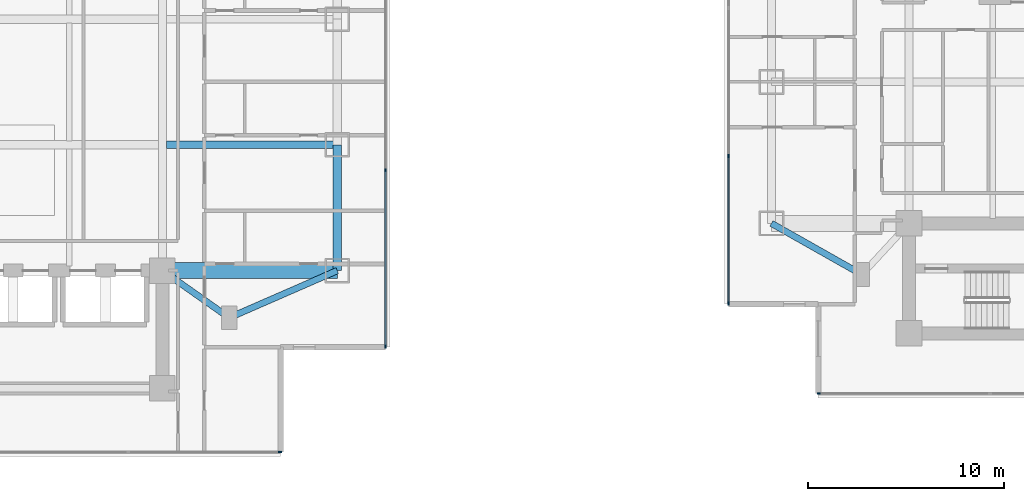
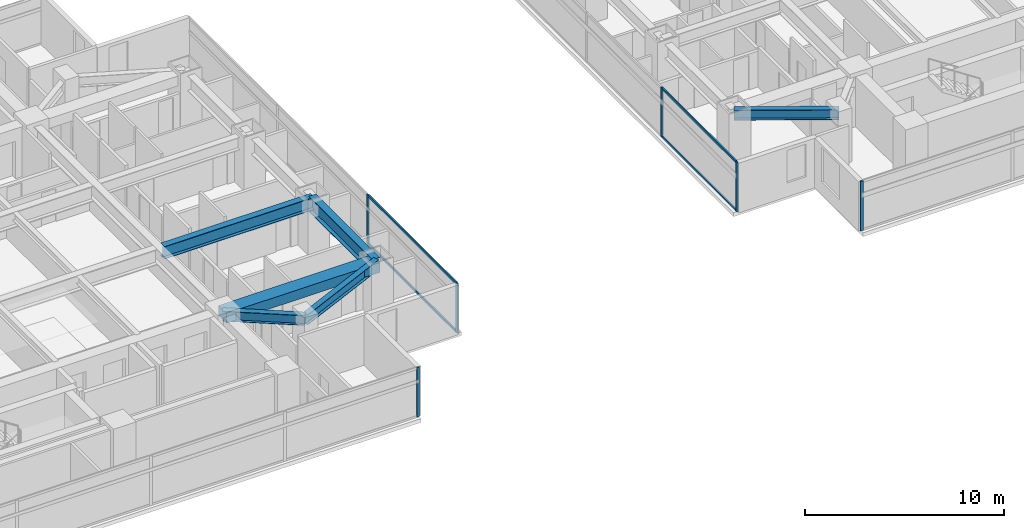
# One storey, part 4 of 27: 10 members, 6 beams, 4 elements without a shape of their own.
"""IFC4 building model written with IfcOpenShell, lengths in metres."""

from ifc_helpers import new_model, si_unit, direction, frame, origin, origin_2d, place, context, subcontext, project, spatial, rectangle, i_section, extrude, material, material_profile, profile_set, type_object, element, aggregate, save


model = new_model("IFC4")

# Units and contexts
model_context = context("Model", 3, precision=1e-05, world=origin(), true_north=direction((0.0, 1.0)))
body_context = subcontext(model_context, "Body", "Model", "MODEL_VIEW")
ifc_project = project(units=[si_unit("LENGTHUNIT", "METRE"), si_unit("AREAUNIT", "SQUARE_METRE"), si_unit("VOLUMEUNIT", "CUBIC_METRE"), si_unit("PLANEANGLEUNIT", "RADIAN"), si_unit("MASSUNIT", "GRAM", prefix="KILO")], contexts=[model_context])

# Site, building, storey
site_placement = place(None, origin())
site = spatial("IfcSite", under=ifc_project, at=site_placement, CompositionType="ELEMENT")
building_placement = place(site_placement, origin())
building = spatial("IfcBuilding", under=site, at=building_placement, Name="Mirazonda Arch Towers", CompositionType="ELEMENT")
storey_placement = place(building_placement, frame((0.0, 0.0, 55.39990234375)))
storey = spatial("IfcBuildingStorey", under=building, at=storey_placement, Name="L15", CompositionType="ELEMENT", Elevation=55.39990234375)

# Beams
ifc_material_1 = material(Name="Steel ASTM A992 Grade 50", Category="steel")
ifc_material_profile_1 = material_profile(ifc_material_1, i_section(OverallWidth=0.41796875, OverallDepth=0.927001953125, WebThickness=0.019287109375, FlangeThickness=0.031982421875, at=origin_2d()), Name="W36X231")
ifc_profile_set_1 = profile_set([ifc_material_profile_1], Name="Steel ASTM A992 Grade 50")
beam_type_1 = type_object("IfcBeamType", Name="BM-EXT-W36X231", PredefinedType="USERDEFINED", material=ifc_profile_set_1)
beam_1_placement = place(storey_placement, frame((38.89990234375, 18.39990234375, 2.5966796875), z_axis=(0.0, 1.0, 0.0), x_axis=(-1.0, 0.0, 0.0)))
element("IfcBeam", 1, at=beam_1_placement, inside=storey, type_object=beam_type_1, Name="L15 Floor Beam BM-T1-L15-NS-E-18", ObjectType="GIRDER", PredefinedType="USERDEFINED", context=body_context, shape_type="SweptSolid", body=[
    extrude(i_section(OverallWidth=0.41796875, OverallDepth=0.927001953125, WebThickness=0.019287109375, FlangeThickness=0.031982421875, at=origin_2d()), origin(), (0.0, 0.0, 1.0), 6.400146484375),
])
ifc_material_profile_2 = material_profile(ifc_material_1, i_section(OverallWidth=0.324951171875, OverallDepth=0.615966796875, WebThickness=0.013916015625, FlangeThickness=0.021484375, at=origin_2d()), Name="W24X117")
ifc_profile_set_2 = profile_set([ifc_material_profile_2], Name="Steel ASTM A992 Grade 50")
beam_type_2 = type_object("IfcBeamType", Name="BM-INT-W24X117", PredefinedType="BEAM", material=ifc_profile_set_2)
beam_2_placement = place(storey_placement, frame((33.39990234375, 16.0, 2.752197265625), z_axis=(-0.816971114901, 0.576678591087, 0.0), x_axis=(-0.576678591087, -0.816971114901, 0.0)))
element("IfcBeam", 2, at=beam_2_placement, inside=storey, type_object=beam_type_2, Name="L15 Floor Beam BM-T1-L15-PL-SE1", PredefinedType="BEAM", context=body_context, shape_type="SweptSolid", body=[
    extrude(i_section(OverallWidth=0.324951171875, OverallDepth=0.615966796875, WebThickness=0.013916015625, FlangeThickness=0.021484375, at=origin_2d()), origin(), (0.0, 0.0, 1.0), 4.16162109375),
])
beam_3_placement = place(storey_placement, frame((33.39990234375, 16.0, 2.752197265625), z_axis=(0.916545343703, 0.399930785183, 0.0), x_axis=(-0.399930785183, 0.916545343703, 0.0)))
element("IfcBeam", 3, at=beam_3_placement, inside=storey, type_object=beam_type_2, Name="L15 Floor Beam BM-T1-L15-PL-SE2", PredefinedType="BEAM", context=body_context, shape_type="SweptSolid", body=[
    extrude(i_section(OverallWidth=0.324951171875, OverallDepth=0.615966796875, WebThickness=0.013916015625, FlangeThickness=0.021484375, at=origin_2d()), origin(), (0.0, 0.0, 1.0), 6.000732421875),
])
beam_4_placement = place(storey_placement, frame((65.60009765625, 18.199951171875, 2.752197265625), z_axis=(-0.870559396632, 0.492063346467, 0.0), x_axis=(-0.492063346467, -0.870559396632, 0.0)))
element("IfcBeam", 4, at=beam_4_placement, inside=storey, type_object=beam_type_2, Name="L15 Floor Beam BM-T2-L15-PL-SW2", PredefinedType="BEAM", context=body_context, shape_type="SweptSolid", body=[
    extrude(i_section(OverallWidth=0.324951171875, OverallDepth=0.615966796875, WebThickness=0.013916015625, FlangeThickness=0.021484375, at=origin_2d()), origin(), (0.0, 0.0, 1.0), 5.2841796875),
])
ifc_material_profile_3 = material_profile(ifc_material_1, i_section(OverallWidth=0.381103515625, OverallDepth=0.77294921875, WebThickness=0.0166015625, FlangeThickness=0.027099609375, at=origin_2d()), Name="W30X173")
ifc_profile_set_3 = profile_set([ifc_material_profile_3], Name="Steel ASTM A992 Grade 50")
beam_type_3 = type_object("IfcBeamType", Name="BM-INT-W30X173", PredefinedType="USERDEFINED", material=ifc_profile_set_3)
beam_5_placement = place(storey_placement, frame((30.21142578125, 24.800048828125, 2.673583984375), z_axis=(1.0, 0.0, 0.0), x_axis=(0.0, 1.0, 0.0)))
element("IfcBeam", 5, at=beam_5_placement, inside=storey, type_object=beam_type_3, Name="L15 Floor Beam BM-T1-L15-GE2", ObjectType="GIRDER", PredefinedType="USERDEFINED", context=body_context, shape_type="SweptSolid", body=[
    extrude(i_section(OverallWidth=0.381103515625, OverallDepth=0.77294921875, WebThickness=0.0166015625, FlangeThickness=0.027099609375, at=origin_2d()), origin(), (0.0, 0.0, 1.0), 8.6884765625),
])
ifc_material_2 = material(Name="Concrete C60/75", Category="concrete")
ifc_material_profile_4 = material_profile(ifc_material_2, rectangle(XDim=0.800048828125, YDim=0.60009765625, at=origin_2d()), Name="RCCB800x600")
ifc_profile_set_4 = profile_set([ifc_material_profile_4], Name="Concrete C60/75")
beam_type_4 = type_object("IfcBeamType", Name="CB-INT-RCCB800x600", PredefinedType="SPANDREL", material=ifc_profile_set_4)
beam_6_placement = place(storey_placement, frame((30.0, 18.39990234375, 2.760009765625), z_axis=(1.0, 0.0, 0.0), x_axis=(0.0, 1.0, 0.0)))
element("IfcBeam", 6, at=beam_6_placement, inside=storey, type_object=beam_type_4, Name="L15 Floor Beam CBC-T1-L15-SE", PredefinedType="SPANDREL", context=body_context, shape_type="SweptSolid", body=[
    extrude(rectangle(XDim=0.800048828125, YDim=0.60009765625, at=origin_2d()), origin(), (0.0, 0.0, 1.0), 8.89990234375),
])

# Curtain wall, member
ifc_material_3 = material(Name="Anodised Aluminium and Low-E Glass", Category="aluminium")
curtain_wall_type = type_object("IfcCurtainWallType", Name="CW-HTL-UNIT", PredefinedType="NOTDEFINED", material=ifc_material_3)
curtain_wall_1_placement = place(storey_placement, origin())
curtain_wall_1 = element("IfcCurtainWall", 7, at=curtain_wall_1_placement, inside=storey, type_object=curtain_wall_type, Name="L15 T1 S Facade CW-L15-T1-S", PredefinedType="NOTDEFINED")
ifc_material_4 = material(Name="Anodised Aluminium Alloy", Category="aluminium")
ifc_material_profile_5 = material_profile(ifc_material_4, rectangle(XDim=0.074951171875, YDim=0.1650390625, at=origin_2d()), Name="ALU-MULL-75x165")
ifc_profile_set_5 = profile_set([ifc_material_profile_5], Name="Anodised Aluminium Alloy")
member_type_1 = type_object("IfcMemberType", Name="MULL-CW-HTL-UNIT", PredefinedType="MULLION", material=ifc_profile_set_5)
member_1_placement = place(storey_placement, frame((35.982421875, 9.162109375, 0.0), z_axis=(0.0, 0.0, 1.0), x_axis=(0.0, -1.0, 0.0)))
member_1 = element("IfcMember", 8, at=member_1_placement, type_object=member_type_1, Name="CW-112 mullion 1", PredefinedType="MULLION", context=body_context, shape_type="SweptSolid", body=[
    extrude(rectangle(XDim=0.074951171875, YDim=0.1650390625, at=origin_2d()), origin(), (0.0, 0.0, 1.0), 3.0400390625),
])
aggregate(curtain_wall_1, [member_1])

# Curtain wall, members
curtain_wall_2_placement = place(storey_placement, origin())
curtain_wall_2 = element("IfcCurtainWall", 9, at=curtain_wall_2_placement, inside=storey, type_object=curtain_wall_type, Name="L15 T1 E Facade CW-L15-T1-E", PredefinedType="NOTDEFINED")
member_2_placement = place(storey_placement, frame((41.360107421875, 14.53955078125, 0.0), z_axis=(0.0, 0.0, 1.0), x_axis=(-1.0, 0.0, 0.0)))
member_2 = element("IfcMember", 10, at=member_2_placement, type_object=member_type_1, Name="CW-112 mullion 1", PredefinedType="MULLION", context=body_context, shape_type="SweptSolid", body=[
    extrude(rectangle(XDim=0.074951171875, YDim=0.1650390625, at=origin_2d()), origin(), (0.0, 0.0, 1.0), 3.0400390625),
])
member_3_placement = place(storey_placement, frame((41.360107421875, 23.500732421875, 0.0), z_axis=(0.0, 0.0, 1.0), x_axis=(-1.0, 0.0, 0.0)))
member_3 = element("IfcMember", 11, at=member_3_placement, type_object=member_type_1, Name="CW-112 mullion 2", PredefinedType="MULLION", context=body_context, shape_type="SweptSolid", body=[
    extrude(rectangle(XDim=0.074951171875, YDim=0.1650390625, at=origin_2d()), origin(), (0.0, 0.0, 1.0), 3.0400390625),
])

# Curtain wall, member
curtain_wall_3_placement = place(storey_placement, origin())
curtain_wall_3 = element("IfcCurtainWall", 12, at=curtain_wall_3_placement, inside=storey, type_object=curtain_wall_type, Name="L15 T2 S Facade CW-L15-T2-S", PredefinedType="NOTDEFINED")
member_4_placement = place(storey_placement, frame((63.405517578125, 12.140625, 0.0), z_axis=(0.0, 0.0, 1.0), x_axis=(0.0, -1.0, 0.0)))
member_4 = element("IfcMember", 13, at=member_4_placement, type_object=member_type_1, Name="CW-112 mullion 4", PredefinedType="MULLION", context=body_context, shape_type="SweptSolid", body=[
    extrude(rectangle(XDim=0.074951171875, YDim=0.1650390625, at=origin_2d()), origin(), (0.0, 0.0, 1.0), 3.0400390625),
])
aggregate(curtain_wall_3, [member_4])

# Curtain wall, members
curtain_wall_4_placement = place(storey_placement, origin())
curtain_wall_4 = element("IfcCurtainWall", 14, at=curtain_wall_4_placement, inside=storey, type_object=curtain_wall_type, Name="L15 T2 W Facade CW-L15-T2-W", PredefinedType="NOTDEFINED")
member_5_placement = place(storey_placement, frame((58.822021484375, 24.22900390625, 0.0), z_axis=(0.0, 0.0, 1.0), x_axis=(1.0, 0.0, 0.0)))
member_5 = element("IfcMember", 15, at=member_5_placement, type_object=member_type_1, Name="CW-112 mullion 3", PredefinedType="MULLION", context=body_context, shape_type="SweptSolid", body=[
    extrude(rectangle(XDim=0.074951171875, YDim=0.1650390625, at=origin_2d()), origin(), (0.0, 0.0, 1.0), 3.0400390625),
])
member_6_placement = place(storey_placement, frame((58.822021484375, 16.72412109375, 0.0), z_axis=(0.0, 0.0, 1.0), x_axis=(1.0, 0.0, 0.0)))
member_6 = element("IfcMember", 16, at=member_6_placement, type_object=member_type_1, Name="CW-112 mullion 4", PredefinedType="MULLION", context=body_context, shape_type="SweptSolid", body=[
    extrude(rectangle(XDim=0.074951171875, YDim=0.1650390625, at=origin_2d()), origin(), (0.0, 0.0, 1.0), 3.0400390625),
])

# Member
ifc_material_profile_6 = material_profile(ifc_material_4, rectangle(XDim=0.074951171875, YDim=0.14501953125, at=origin_2d()), Name="ALU-TRAN-75x145")
ifc_profile_set_6 = profile_set([ifc_material_profile_6], Name="Anodised Aluminium Alloy")
member_type_2 = type_object("IfcMemberType", Name="TRAN-CW-HTL-UNIT", PredefinedType="USERDEFINED", material=ifc_profile_set_6)
member_7_placement = place(storey_placement, frame((41.360107421875, 14.576904296875, 0.03759765625), z_axis=(0.0, 1.0, 0.0), x_axis=(-1.0, 0.0, 0.0)))
member_7 = element("IfcMember", 17, at=member_7_placement, type_object=member_type_2, Name="CW-112 transom 1.1", ObjectType="TRANSOM", PredefinedType="USERDEFINED", context=body_context, shape_type="SweptSolid", body=[
    extrude(rectangle(XDim=0.074951171875, YDim=0.14501953125, at=origin_2d()), origin(), (0.0, 0.0, 1.0), 8.88623046875),
])

member_8_placement = place(storey_placement, frame((41.360107421875, 14.576904296875, 3.002685546875), z_axis=(0.0, 1.0, 0.0), x_axis=(-1.0, 0.0, 0.0)))
member_8 = element("IfcMember", 18, at=member_8_placement, type_object=member_type_2, Name="CW-112 transom 1.2", ObjectType="TRANSOM", PredefinedType="USERDEFINED", context=body_context, shape_type="SweptSolid", body=[
    extrude(rectangle(XDim=0.074951171875, YDim=0.14501953125, at=origin_2d()), origin(), (0.0, 0.0, 1.0), 8.88623046875),
])

aggregate(curtain_wall_2, [member_2, member_3, member_7, member_8])

member_9_placement = place(storey_placement, frame((58.822021484375, 24.19140625, 0.03759765625), z_axis=(0.0, -1.0, 0.0), x_axis=(1.0, 0.0, 0.0)))
member_9 = element("IfcMember", 19, at=member_9_placement, type_object=member_type_2, Name="CW-112 transom 3.1", ObjectType="TRANSOM", PredefinedType="USERDEFINED", context=body_context, shape_type="SweptSolid", body=[
    extrude(rectangle(XDim=0.074951171875, YDim=0.14501953125, at=origin_2d()), origin(), (0.0, 0.0, 1.0), 7.4296875),
])

member_10_placement = place(storey_placement, frame((58.822021484375, 24.19140625, 3.002685546875), z_axis=(0.0, -1.0, 0.0), x_axis=(1.0, 0.0, 0.0)))
member_10 = element("IfcMember", 20, at=member_10_placement, type_object=member_type_2, Name="CW-112 transom 3.2", ObjectType="TRANSOM", PredefinedType="USERDEFINED", context=body_context, shape_type="SweptSolid", body=[
    extrude(rectangle(XDim=0.074951171875, YDim=0.14501953125, at=origin_2d()), origin(), (0.0, 0.0, 1.0), 7.4296875),
])

aggregate(curtain_wall_4, [member_5, member_6, member_9, member_10])

save(model, "model.ifc")
